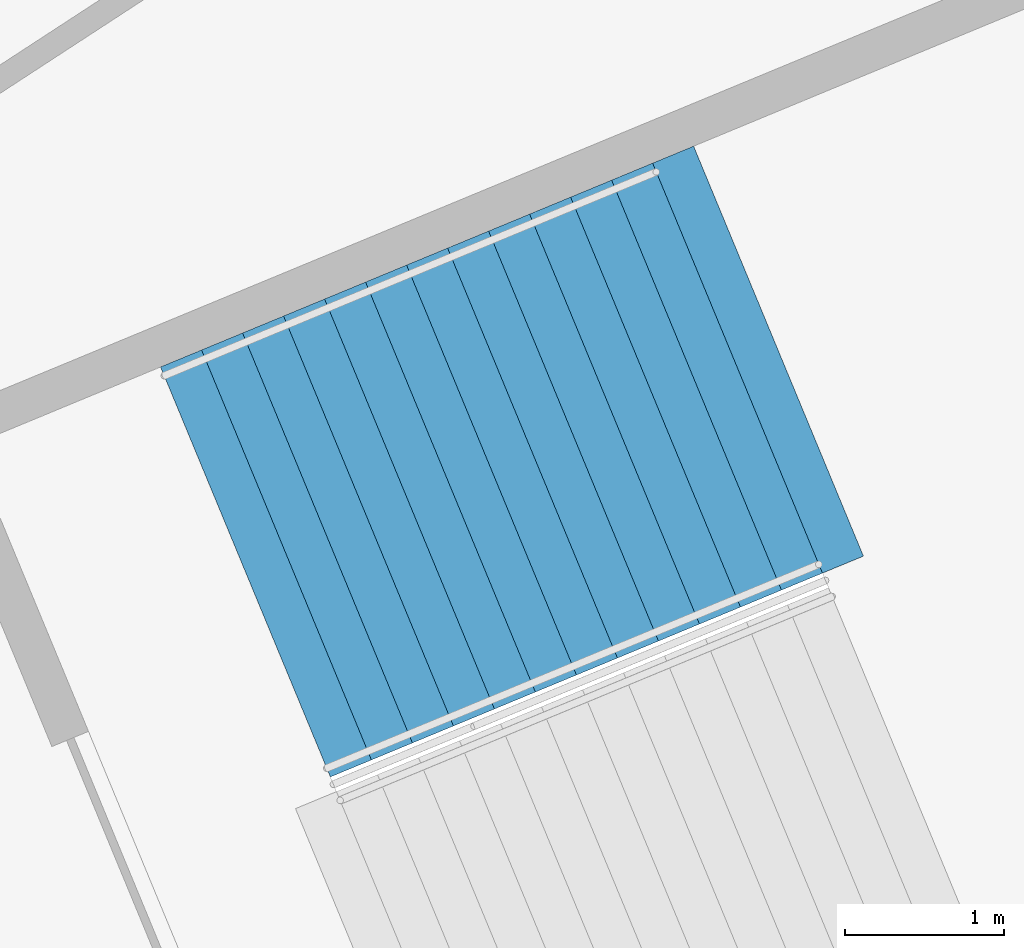
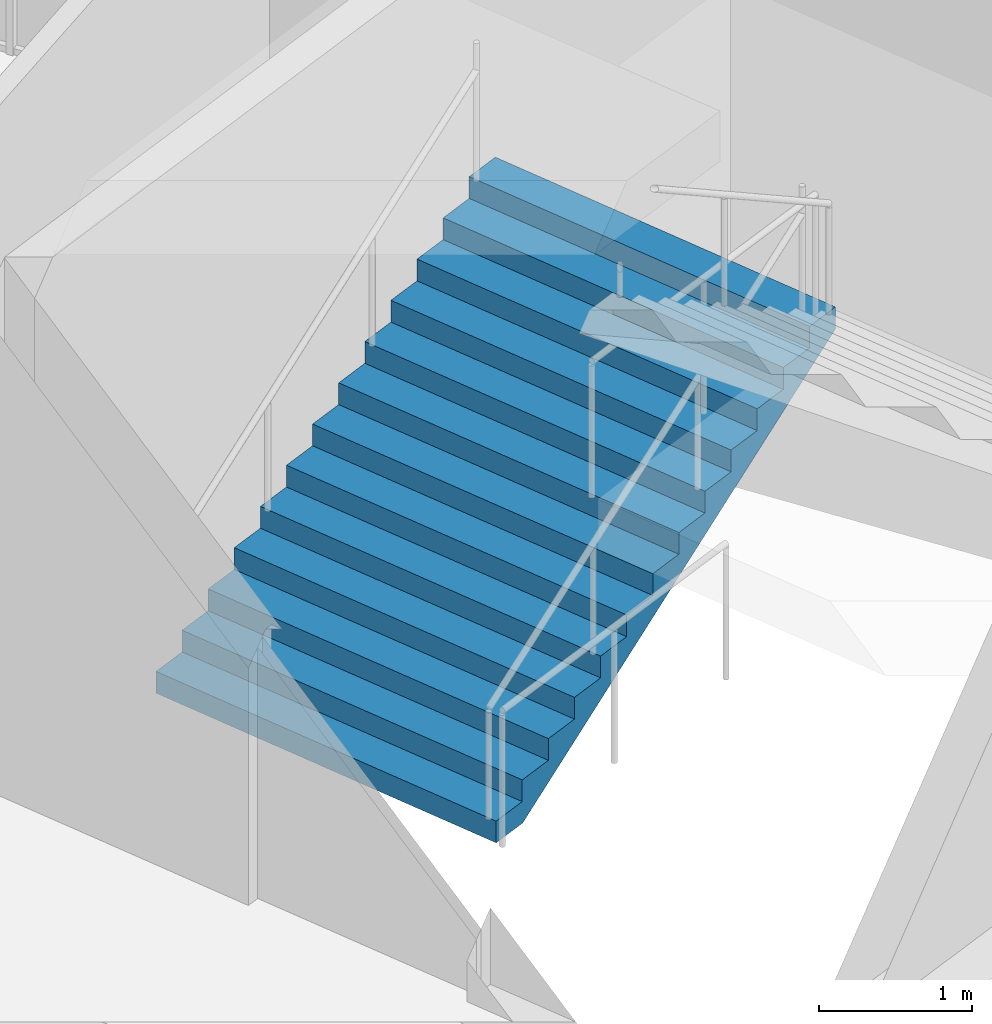
# One storey, part 180 of 199: 1 stair flight, 1 element without a shape of its own.
"""IFC4 building model written with IfcOpenShell, lengths in metres."""

import ifcopenshell
import ifcopenshell.guid

model = None  # the IFC model being written
_history = None  # IfcOwnerHistory: only IFC2X3 demands one
_inside = {}  # id of a spatial element -> (the spatial element, [elements in it])
_under = {}  # id of a project, library or spatial element -> (it, [spatial elements below it])
_declared = {}  # id of a project -> (the project, [libraries it declares])
_typed = {}  # id of a type object -> (the type object, [elements of that type])
_made_of = {}  # id of a material, layer set ... -> (it, [elements and type objects made of it])


def new_model(schema):
    """Start an empty IFC model of exactly this schema.

    Asked for "IFC4X3", IfcOpenShell would pick the latest addendum, in which some entities
    have other attributes; the version numbers below select the first issue.
    IFC2X3 requires an IfcOwnerHistory on every rooted entity: one is made here for all.
    """
    global model, _history
    if schema == "IFC4X3":
        model = ifcopenshell.file(schema_version=(4, 3, 0, 0))
    else:
        model = ifcopenshell.file(schema=schema)
    _inside.clear()
    _under.clear()
    _declared.clear()
    _typed.clear()
    _made_of.clear()
    _history = None
    if model.schema == "IFC2X3":
        org = make("IfcOrganization", Name="unknown")
        user = make(
            "IfcPersonAndOrganization",
            ThePerson=make("IfcPerson", FamilyName="unknown"),
            TheOrganization=org,
        )
        app = make(
            "IfcApplication",
            ApplicationDeveloper=org,
            Version="unknown",
            ApplicationFullName="unknown",
            ApplicationIdentifier="unknown",
        )
        _history = make(
            "IfcOwnerHistory",
            OwningUser=user,
            OwningApplication=app,
            ChangeAction="ADDED",
            CreationDate=0,
        )
    return model


def make(cls, **values):
    """One entity of the class cls with the attributes given. An attribute that is None is left unset."""
    return model.create_entity(
        cls, **{name: value for name, value in values.items() if value is not None}
    )


def rooted(cls, **values):
    """An entity with a GlobalId (a new one), such as an element, a storey or a relation."""
    return make(cls, GlobalId=ifcopenshell.guid.new(), OwnerHistory=_history, **values)


def si_unit(unit_type, name, prefix=None):
    """IfcSIUnit, for example si_unit("LENGTHUNIT", "METRE", prefix="MILLI")."""
    return make("IfcSIUnit", UnitType=unit_type, Prefix=prefix, Name=name)


def assignment(units):
    """IfcUnitAssignment: the units of a project."""
    return None if units is None else make("IfcUnitAssignment", Units=units)


def point(xyz):
    """IfcCartesianPoint."""
    return None if xyz is None else make("IfcCartesianPoint", Coordinates=xyz)


def direction(xyz):
    """IfcDirection."""
    return None if xyz is None else make("IfcDirection", DirectionRatios=xyz)


def frame(location, z_axis=None, x_axis=None):
    """IfcAxis2Placement3D, a coordinate frame: its origin and axes. An axis left out is left unset."""
    return make(
        "IfcAxis2Placement3D",
        Location=point(location),
        Axis=direction(z_axis),
        RefDirection=direction(x_axis),
    )


def origin():
    """The frame at (0, 0, 0) with its axes left unset."""
    return frame((0.0, 0.0, 0.0))


def place(relative_to, where):
    """IfcLocalPlacement: puts the frame where relative to a parent placement (None: the world)."""
    return make(
        "IfcLocalPlacement", PlacementRelTo=relative_to, RelativePlacement=where
    )


def context(
    kind, dimensions, precision=None, world=None, true_north=None, identifier=None
):
    """IfcGeometricRepresentationContext, for example the 3D "Model" context."""
    return make(
        "IfcGeometricRepresentationContext",
        ContextIdentifier=identifier,
        ContextType=kind,
        CoordinateSpaceDimension=dimensions,
        Precision=precision,
        WorldCoordinateSystem=world,
        TrueNorth=true_north,
    )


def subcontext(parent, identifier, kind, view, scale=None):
    """IfcGeometricRepresentationSubContext, for example "Body" below "Model"."""
    return make(
        "IfcGeometricRepresentationSubContext",
        ContextIdentifier=identifier,
        ContextType=kind,
        ParentContext=parent,
        TargetScale=scale,
        TargetView=view,
    )


def project(units=None, contexts=None):
    """IfcProject with its units and contexts."""
    return rooted(
        "IfcProject",
        Name="project",
        RepresentationContexts=contexts,
        UnitsInContext=assignment(units),
    )


def spatial(cls, under=None, at=None, **own):
    """A site, building, storey or space (cls), placed at a placement, below another one or the project."""
    s = rooted(cls, ObjectPlacement=at, **own)
    if under is not None:
        _under.setdefault(under.id(), (under, []))[1].append(s)
    return s


def faces_of(points, faces, orient=None, outer=None):
    """IfcFace entities. A face is a list of loops; a loop is a list of indices into points, from 0.

    orient and outer hold one flag for each loop. By default every Orientation is true, the
    first loop of a face is its IfcFaceOuterBound and the others are IfcFaceBound.
    """
    made = []
    for i, loops in enumerate(faces):
        bounds = []
        for j, loop in enumerate(loops):
            is_outer = j == 0 if outer is None else outer[i][j]
            bounds.append(
                make(
                    "IfcFaceOuterBound" if is_outer else "IfcFaceBound",
                    Bound=make("IfcPolyLoop", Polygon=[points[k] for k in loop]),
                    Orientation=True if orient is None else orient[i][j],
                )
            )
        made.append(make("IfcFace", Bounds=bounds))
    return made


def faceted_brep(points, faces, orient=None, outer=None, voids=None):
    """IfcFacetedBrep: a solid bounded by flat faces; with voids (closed shells), ...WithVoids."""
    shared = [point(p) for p in points]
    hull = make("IfcClosedShell", CfsFaces=faces_of(shared, faces, orient, outer))
    if voids is None:
        return make("IfcFacetedBrep", Outer=hull)
    return make(
        "IfcFacetedBrepWithVoids",
        Outer=hull,
        Voids=[
            make(cls, CfsFaces=faces_of(shared, fs, o, b)) for cls, fs, o, b in voids
        ],
    )


def shape(context_of_items, identifier, shape_type, items):
    """IfcShapeRepresentation: the items that make up one representation, for example the "Body"."""
    return make(
        "IfcShapeRepresentation",
        ContextOfItems=context_of_items,
        RepresentationIdentifier=identifier,
        RepresentationType=shape_type,
        Items=items,
    )


def material(Name=None, Category=None):
    """IfcMaterial."""
    return make("IfcMaterial", Name=Name, Category=Category)


def made_of(thing, what):
    """Note that an element or type object is made of a material, layer set ...; save() writes the relation."""
    if what is not None:
        _made_of.setdefault(what.id(), (what, []))[1].append(thing)
    return thing


def type_object(cls, material=None, **own):
    """A type object (cls), such as IfcWallType, which elements share."""
    return made_of(rooted(cls, **own), material)


def element(
    cls,
    number,
    at=None,
    inside=None,
    cuts=None,
    type_object=None,
    material=None,
    context=None,
    identifier="Body",
    shape_type=None,
    held_by="IfcProductDefinitionShape",
    body=None,
    shapes=None,
    **own,
):
    """One element of the class cls, such as IfcWall. Its Tag is "e" and its number.

    at: its placement. inside: the storey or other place that contains it. cuts: it is an
    opening in that element (IfcRelVoidsElement). A single representation is given by context,
    identifier, shape_type and body (its items); several are given by shapes. held_by: the class
    of the entity that holds the representations. save() writes the other relations.
    """
    e = rooted(cls, Tag="e%d" % number, ObjectPlacement=at, **own)
    if body is not None:
        shapes = [shape(context, identifier, shape_type, body)]
    if shapes is not None:
        e.Representation = make(held_by, Representations=shapes)
    if inside is not None:
        _inside.setdefault(inside.id(), (inside, []))[1].append(e)
    if cuts is not None:
        rooted(
            "IfcRelVoidsElement", RelatingBuildingElement=cuts, RelatedOpeningElement=e
        )
    if type_object is not None:
        _typed.setdefault(type_object.id(), (type_object, []))[1].append(e)
    return made_of(e, material)


def aggregate(whole, parts):
    """IfcRelAggregates: a whole, such as a stair, and the parts it consists of."""
    return rooted("IfcRelAggregates", RelatingObject=whole, RelatedObjects=parts)


def save(model, path):
    """Write the relations noted so far, then the file.

    IfcRelAggregates (storeys below a building ...), IfcRelContainedInSpatialStructure (elements
    in a storey), IfcRelDefinesByType, IfcRelAssociatesMaterial and IfcRelDeclares: one each for
    every whole, place, type object, material and project.
    """
    for whole, parts in _under.values():
        aggregate(whole, parts)
    for where, things in _inside.values():
        rooted(
            "IfcRelContainedInSpatialStructure",
            RelatedElements=things,
            RelatingStructure=where,
        )
    for kind, things in _typed.values():
        rooted("IfcRelDefinesByType", RelatedObjects=things, RelatingType=kind)
    for what, things in _made_of.values():
        rooted("IfcRelAssociatesMaterial", RelatedObjects=things, RelatingMaterial=what)
    for by, libraries in _declared.values():
        rooted("IfcRelDeclares", RelatingContext=by, RelatedDefinitions=libraries)
    model.write(path)


model = new_model("IFC4")

# Units and contexts
model_context = context("Model", 3, precision=1e-05, world=origin(), true_north=direction((0.0, 1.0)))
body_context = subcontext(model_context, "Body", "Model", "MODEL_VIEW")
ifc_project = project(units=[si_unit("LENGTHUNIT", "METRE"), si_unit("AREAUNIT", "SQUARE_METRE"), si_unit("VOLUMEUNIT", "CUBIC_METRE"), si_unit("PLANEANGLEUNIT", "RADIAN"), si_unit("MASSUNIT", "GRAM", prefix="KILO")], contexts=[model_context])

# Site, building, storey
site_placement = place(None, origin())
site = spatial("IfcSite", under=ifc_project, at=site_placement, CompositionType="ELEMENT")
building_placement = place(site_placement, origin())
building = spatial("IfcBuilding", under=site, at=building_placement, Name="Ogive Plaza Stadium", CompositionType="ELEMENT")
storey_placement = place(building_placement, frame((0.0, 0.0, 4.5)))
storey = spatial("IfcBuildingStorey", under=building, at=storey_placement, Name="L01", CompositionType="ELEMENT", Elevation=4.5)

# Stair, stair flight
ifc_material_1 = material(Name="Concrete C40/50", Category="concrete")
stair_type = type_object("IfcStairType", Name="Exit stair", PredefinedType="STRAIGHT_RUN_STAIR", material=ifc_material_1)
stair_placement = place(storey_placement, origin())
stair = element("IfcStair", 1, at=stair_placement, inside=storey, type_object=stair_type, Name="Exit stair ST40B L01 to L02", PredefinedType="STRAIGHT_RUN_STAIR")
ifc_material_2 = material(Name="Concrete C40/50", Category="concrete")
stair_flight_type = type_object("IfcStairFlightType", Name="Exit stair flight", PredefinedType="STRAIGHT", material=ifc_material_2)
stair_flight_placement = place(storey_placement, frame((71.432861328125, 72.794921875, 0.0), z_axis=(0.0, 0.0, 1.0), x_axis=(0.923879532511, 0.382683432365, 0.0)))
stair_flight = element("IfcStairFlight", 2, at=stair_flight_placement, type_object=stair_flight_type, Name="ST40B flight 1", NumberOfRisers=13, NumberOfTreads=12, PredefinedType="STRAIGHT", RiserHeight=0.173076923, TreadLength=0.28, context=body_context, shape_type="Brep", body=[
    faceted_brep([(0.28515625, -1.39990234375, 0.0), (3.639892578125, -1.39990234375, 2.07373046875), (3.639892578125, -1.39990234375, 2.25), (3.360107421875, -1.39990234375, 2.25), (3.360107421875, -1.39990234375, 2.076904296875), (3.080078125, -1.39990234375, 2.076904296875), (3.080078125, -1.39990234375, 1.90380859375), (2.800048828125, -1.39990234375, 1.90380859375), (2.800048828125, -1.39990234375, 1.730712890625), (2.52001953125, -1.39990234375, 1.730712890625), (2.52001953125, -1.39990234375, 1.5576171875), (2.239990234375, -1.39990234375, 1.5576171875), (2.239990234375, -1.39990234375, 1.384521484375), (1.9599609375, -1.39990234375, 1.384521484375), (1.9599609375, -1.39990234375, 1.21142578125), (1.679931640625, -1.39990234375, 1.21142578125), (1.679931640625, -1.39990234375, 1.03857421875), (1.39990234375, -1.39990234375, 1.03857421875), (1.39990234375, -1.39990234375, 0.865478515625), (1.1201171875, -1.39990234375, 0.865478515625), (1.1201171875, -1.39990234375, 0.6923828125), (0.840087890625, -1.39990234375, 0.6923828125), (0.840087890625, -1.39990234375, 0.519287109375), (0.56005859375, -1.39990234375, 0.519287109375), (0.56005859375, -1.39990234375, 0.34619140625), (0.280029296875, -1.39990234375, 0.34619140625), (0.280029296875, -1.39990234375, 0.173095703125), (0.0, -1.39990234375, 0.173095703125), (0.0, -1.39990234375, 0.0), (0.0, 1.39990234375, 0.0), (0.0, 1.39990234375, 0.173095703125), (0.280029296875, 1.39990234375, 0.173095703125), (0.280029296875, 1.39990234375, 0.34619140625), (0.56005859375, 1.39990234375, 0.34619140625), (0.56005859375, 1.39990234375, 0.519287109375), (0.840087890625, 1.39990234375, 0.519287109375), (0.840087890625, 1.39990234375, 0.6923828125), (1.1201171875, 1.39990234375, 0.6923828125), (1.1201171875, 1.39990234375, 0.865478515625), (1.39990234375, 1.39990234375, 0.865478515625), (1.39990234375, 1.39990234375, 1.03857421875), (1.679931640625, 1.39990234375, 1.03857421875), (1.679931640625, 1.39990234375, 1.21142578125), (1.9599609375, 1.39990234375, 1.21142578125), (1.9599609375, 1.39990234375, 1.384521484375), (2.239990234375, 1.39990234375, 1.384521484375), (2.239990234375, 1.39990234375, 1.5576171875), (2.52001953125, 1.39990234375, 1.5576171875), (2.52001953125, 1.39990234375, 1.730712890625), (2.800048828125, 1.39990234375, 1.730712890625), (2.800048828125, 1.39990234375, 1.90380859375), (3.080078125, 1.39990234375, 1.90380859375), (3.080078125, 1.39990234375, 2.076904296875), (3.360107421875, 1.39990234375, 2.076904296875), (3.360107421875, 1.39990234375, 2.25), (3.639892578125, 1.39990234375, 2.25), (3.639892578125, 1.39990234375, 2.07373046875), (0.28515625, 1.39990234375, 0.0), (0.28515625, -1.0888671875, 0.0), (3.639892578125, -1.0888671875, 2.07373046875), (0.28515625, -0.77783203125, 0.0), (3.639892578125, -0.77783203125, 2.07373046875), (0.28515625, -0.466796875, 0.0), (3.639892578125, -0.466796875, 2.07373046875), (0.28515625, -0.155517578125, 0.0), (3.639892578125, -0.155517578125, 2.07373046875), (0.28515625, 0.155517578125, 0.0), (3.639892578125, 0.155517578125, 2.07373046875), (0.28515625, 0.466796875, 0.0), (3.639892578125, 0.466796875, 2.07373046875), (0.28515625, 0.77783203125, 0.0), (3.639892578125, 0.77783203125, 2.07373046875), (0.28515625, 1.0888671875, 0.0), (3.639892578125, 1.0888671875, 2.07373046875), (3.639892578125, -1.0888671875, 2.25), (3.639892578125, -0.77783203125, 2.25), (3.639892578125, -0.466796875, 2.25), (3.639892578125, -0.155517578125, 2.25), (3.639892578125, 0.155517578125, 2.25), (3.639892578125, 0.466796875, 2.25), (3.639892578125, 0.77783203125, 2.25), (3.639892578125, 1.0888671875, 2.25), (3.360107421875, -1.0888671875, 2.25), (3.360107421875, -0.77783203125, 2.25), (3.360107421875, -0.466796875, 2.25), (3.360107421875, -0.155517578125, 2.25), (3.360107421875, 0.155517578125, 2.25), (3.360107421875, 0.466796875, 2.25), (3.360107421875, 0.77783203125, 2.25), (3.360107421875, 1.0888671875, 2.25), (3.360107421875, -1.0888671875, 2.076904296875), (3.360107421875, -0.77783203125, 2.076904296875), (3.360107421875, -0.466796875, 2.076904296875), (3.360107421875, -0.155517578125, 2.076904296875), (3.360107421875, 0.155517578125, 2.076904296875), (3.360107421875, 0.466796875, 2.076904296875), (3.360107421875, 0.77783203125, 2.076904296875), (3.360107421875, 1.0888671875, 2.076904296875), (3.080078125, -1.0888671875, 2.076904296875), (3.080078125, -0.77783203125, 2.076904296875), (3.080078125, -0.466796875, 2.076904296875), (3.080078125, -0.155517578125, 2.076904296875), (3.080078125, 0.155517578125, 2.076904296875), (3.080078125, 0.466796875, 2.076904296875), (3.080078125, 0.77783203125, 2.076904296875), (3.080078125, 1.0888671875, 2.076904296875), (3.080078125, -1.0888671875, 1.90380859375), (3.080078125, -0.77783203125, 1.90380859375), (3.080078125, -0.466796875, 1.90380859375), (3.080078125, -0.155517578125, 1.90380859375), (3.080078125, 0.155517578125, 1.90380859375), (3.080078125, 0.466796875, 1.90380859375), (3.080078125, 0.77783203125, 1.90380859375), (3.080078125, 1.0888671875, 1.90380859375), (2.800048828125, -1.0888671875, 1.90380859375), (2.800048828125, -0.77783203125, 1.90380859375), (2.800048828125, -0.466796875, 1.90380859375), (2.800048828125, -0.155517578125, 1.90380859375), (2.800048828125, 0.155517578125, 1.90380859375), (2.800048828125, 0.466796875, 1.90380859375), (2.800048828125, 0.77783203125, 1.90380859375), (2.800048828125, 1.0888671875, 1.90380859375), (2.800048828125, -1.0888671875, 1.730712890625), (2.800048828125, -0.77783203125, 1.730712890625), (2.800048828125, -0.466796875, 1.730712890625), (2.800048828125, -0.155517578125, 1.730712890625), (2.800048828125, 0.155517578125, 1.730712890625), (2.800048828125, 0.466796875, 1.730712890625), (2.800048828125, 0.77783203125, 1.730712890625), (2.800048828125, 1.0888671875, 1.730712890625), (2.52001953125, -1.0888671875, 1.730712890625), (2.52001953125, -0.77783203125, 1.730712890625), (2.52001953125, -0.466796875, 1.730712890625), (2.52001953125, -0.155517578125, 1.730712890625), (2.52001953125, 0.155517578125, 1.730712890625), (2.52001953125, 0.466796875, 1.730712890625), (2.52001953125, 0.77783203125, 1.730712890625), (2.52001953125, 1.0888671875, 1.730712890625), (2.52001953125, -1.0888671875, 1.5576171875), (2.52001953125, -0.77783203125, 1.5576171875), (2.52001953125, -0.466796875, 1.5576171875), (2.52001953125, -0.155517578125, 1.5576171875), (2.52001953125, 0.155517578125, 1.5576171875), (2.52001953125, 0.466796875, 1.5576171875), (2.52001953125, 0.77783203125, 1.5576171875), (2.52001953125, 1.0888671875, 1.5576171875), (2.239990234375, -1.0888671875, 1.5576171875), (2.239990234375, -0.77783203125, 1.5576171875), (2.239990234375, -0.466796875, 1.5576171875), (2.239990234375, -0.155517578125, 1.5576171875), (2.239990234375, 0.155517578125, 1.5576171875), (2.239990234375, 0.466796875, 1.5576171875), (2.239990234375, 0.77783203125, 1.5576171875), (2.239990234375, 1.0888671875, 1.5576171875), (2.239990234375, -1.0888671875, 1.384521484375), (2.239990234375, -0.77783203125, 1.384521484375), (2.239990234375, -0.466796875, 1.384521484375), (2.239990234375, -0.155517578125, 1.384521484375), (2.239990234375, 0.155517578125, 1.384521484375), (2.239990234375, 0.466796875, 1.384521484375), (2.239990234375, 0.77783203125, 1.384521484375), (2.239990234375, 1.0888671875, 1.384521484375), (1.9599609375, -1.0888671875, 1.384521484375), (1.9599609375, -0.77783203125, 1.384521484375), (1.9599609375, -0.466796875, 1.384521484375), (1.9599609375, -0.155517578125, 1.384521484375), (1.9599609375, 0.155517578125, 1.384521484375), (1.9599609375, 0.466796875, 1.384521484375), (1.9599609375, 0.77783203125, 1.384521484375), (1.9599609375, 1.0888671875, 1.384521484375), (1.9599609375, -1.0888671875, 1.21142578125), (1.9599609375, -0.77783203125, 1.21142578125), (1.9599609375, -0.466796875, 1.21142578125), (1.9599609375, -0.155517578125, 1.21142578125), (1.9599609375, 0.155517578125, 1.21142578125), (1.9599609375, 0.466796875, 1.21142578125), (1.9599609375, 0.77783203125, 1.21142578125), (1.9599609375, 1.0888671875, 1.21142578125), (1.679931640625, -1.0888671875, 1.21142578125), (1.679931640625, -0.77783203125, 1.21142578125), (1.679931640625, -0.466796875, 1.21142578125), (1.679931640625, -0.155517578125, 1.21142578125), (1.679931640625, 0.155517578125, 1.21142578125), (1.679931640625, 0.466796875, 1.21142578125), (1.679931640625, 0.77783203125, 1.21142578125), (1.679931640625, 1.0888671875, 1.21142578125), (1.679931640625, -1.0888671875, 1.03857421875), (1.679931640625, -0.77783203125, 1.03857421875), (1.679931640625, -0.466796875, 1.03857421875), (1.679931640625, -0.155517578125, 1.03857421875), (1.679931640625, 0.155517578125, 1.03857421875), (1.679931640625, 0.466796875, 1.03857421875), (1.679931640625, 0.77783203125, 1.03857421875), (1.679931640625, 1.0888671875, 1.03857421875), (1.39990234375, -1.0888671875, 1.03857421875), (1.39990234375, -0.77783203125, 1.03857421875), (1.39990234375, -0.466796875, 1.03857421875), (1.39990234375, -0.155517578125, 1.03857421875), (1.39990234375, 0.155517578125, 1.03857421875), (1.39990234375, 0.466796875, 1.03857421875), (1.39990234375, 0.77783203125, 1.03857421875), (1.39990234375, 1.0888671875, 1.03857421875), (1.39990234375, -1.0888671875, 0.865478515625), (1.39990234375, -0.77783203125, 0.865478515625), (1.39990234375, -0.466796875, 0.865478515625), (1.39990234375, -0.155517578125, 0.865478515625), (1.39990234375, 0.155517578125, 0.865478515625), (1.39990234375, 0.466796875, 0.865478515625), (1.39990234375, 0.77783203125, 0.865478515625), (1.39990234375, 1.0888671875, 0.865478515625), (1.1201171875, -1.0888671875, 0.865478515625), (1.1201171875, -0.77783203125, 0.865478515625), (1.1201171875, -0.466796875, 0.865478515625), (1.1201171875, -0.155517578125, 0.865478515625), (1.1201171875, 0.155517578125, 0.865478515625), (1.1201171875, 0.466796875, 0.865478515625), (1.1201171875, 0.77783203125, 0.865478515625), (1.1201171875, 1.0888671875, 0.865478515625), (1.1201171875, -1.0888671875, 0.6923828125), (1.1201171875, -0.77783203125, 0.6923828125), (1.1201171875, -0.466796875, 0.6923828125), (1.1201171875, -0.155517578125, 0.6923828125), (1.1201171875, 0.155517578125, 0.6923828125), (1.1201171875, 0.466796875, 0.6923828125), (1.1201171875, 0.77783203125, 0.6923828125), (1.1201171875, 1.0888671875, 0.6923828125), (0.840087890625, -1.0888671875, 0.6923828125), (0.840087890625, -0.77783203125, 0.6923828125), (0.840087890625, -0.466796875, 0.6923828125), (0.840087890625, -0.155517578125, 0.6923828125), (0.840087890625, 0.155517578125, 0.6923828125), (0.840087890625, 0.466796875, 0.6923828125), (0.840087890625, 0.77783203125, 0.6923828125), (0.840087890625, 1.0888671875, 0.6923828125), (0.840087890625, -1.0888671875, 0.519287109375), (0.840087890625, -0.77783203125, 0.519287109375), (0.840087890625, -0.466796875, 0.519287109375), (0.840087890625, -0.155517578125, 0.519287109375), (0.840087890625, 0.155517578125, 0.519287109375), (0.840087890625, 0.466796875, 0.519287109375), (0.840087890625, 0.77783203125, 0.519287109375), (0.840087890625, 1.0888671875, 0.519287109375), (0.56005859375, -1.0888671875, 0.519287109375), (0.56005859375, -0.77783203125, 0.519287109375), (0.56005859375, -0.466796875, 0.519287109375), (0.56005859375, -0.155517578125, 0.519287109375), (0.56005859375, 0.155517578125, 0.519287109375), (0.56005859375, 0.466796875, 0.519287109375), (0.56005859375, 0.77783203125, 0.519287109375), (0.56005859375, 1.0888671875, 0.519287109375), (0.56005859375, -1.0888671875, 0.34619140625), (0.56005859375, -0.77783203125, 0.34619140625), (0.56005859375, -0.466796875, 0.34619140625), (0.56005859375, -0.155517578125, 0.34619140625), (0.56005859375, 0.155517578125, 0.34619140625), (0.56005859375, 0.466796875, 0.34619140625), (0.56005859375, 0.77783203125, 0.34619140625), (0.56005859375, 1.0888671875, 0.34619140625), (0.280029296875, -1.0888671875, 0.34619140625), (0.280029296875, -0.77783203125, 0.34619140625), (0.280029296875, -0.466796875, 0.34619140625), (0.280029296875, -0.155517578125, 0.34619140625), (0.280029296875, 0.155517578125, 0.34619140625), (0.280029296875, 0.466796875, 0.34619140625), (0.280029296875, 0.77783203125, 0.34619140625), (0.280029296875, 1.0888671875, 0.34619140625), (0.280029296875, -1.0888671875, 0.173095703125), (0.280029296875, -0.77783203125, 0.173095703125), (0.280029296875, -0.466796875, 0.173095703125), (0.280029296875, -0.155517578125, 0.173095703125), (0.280029296875, 0.155517578125, 0.173095703125), (0.280029296875, 0.466796875, 0.173095703125), (0.280029296875, 0.77783203125, 0.173095703125), (0.280029296875, 1.0888671875, 0.173095703125), (0.0, -1.0888671875, 0.173095703125), (0.0, -0.77783203125, 0.173095703125), (0.0, -0.466796875, 0.173095703125), (0.0, -0.155517578125, 0.173095703125), (0.0, 0.155517578125, 0.173095703125), (0.0, 0.466796875, 0.173095703125), (0.0, 0.77783203125, 0.173095703125), (0.0, 1.0888671875, 0.173095703125), (0.0, -1.0888671875, 0.0), (0.0, -0.77783203125, 0.0), (0.0, -0.466796875, 0.0), (0.0, -0.155517578125, 0.0), (0.0, 0.155517578125, 0.0), (0.0, 0.466796875, 0.0), (0.0, 0.77783203125, 0.0), (0.0, 1.0888671875, 0.0)], [[[0, 1, 2, 3, 4, 5, 6, 7, 8, 9, 10, 11, 12, 13, 14, 15, 16, 17, 18, 19, 20, 21, 22, 23, 24, 25, 26, 27, 28]], [[29, 30, 31, 32, 33, 34, 35, 36, 37, 38, 39, 40, 41, 42, 43, 44, 45, 46, 47, 48, 49, 50, 51, 52, 53, 54, 55, 56, 57]], [[0, 58, 59, 1]], [[58, 60, 61, 59]], [[60, 62, 63, 61]], [[62, 64, 65, 63]], [[64, 66, 67, 65]], [[66, 68, 69, 67]], [[68, 70, 71, 69]], [[70, 72, 73, 71]], [[72, 57, 56, 73]], [[1, 59, 74, 2]], [[59, 61, 75, 74]], [[61, 63, 76, 75]], [[63, 65, 77, 76]], [[65, 67, 78, 77]], [[67, 69, 79, 78]], [[69, 71, 80, 79]], [[71, 73, 81, 80]], [[73, 56, 55, 81]], [[2, 74, 82, 3]], [[74, 75, 83, 82]], [[75, 76, 84, 83]], [[76, 77, 85, 84]], [[77, 78, 86, 85]], [[78, 79, 87, 86]], [[79, 80, 88, 87]], [[80, 81, 89, 88]], [[81, 55, 54, 89]], [[3, 82, 90, 4]], [[82, 83, 91, 90]], [[83, 84, 92, 91]], [[84, 85, 93, 92]], [[85, 86, 94, 93]], [[86, 87, 95, 94]], [[87, 88, 96, 95]], [[88, 89, 97, 96]], [[89, 54, 53, 97]], [[4, 90, 98, 5]], [[90, 91, 99, 98]], [[91, 92, 100, 99]], [[92, 93, 101, 100]], [[93, 94, 102, 101]], [[94, 95, 103, 102]], [[95, 96, 104, 103]], [[96, 97, 105, 104]], [[97, 53, 52, 105]], [[5, 98, 106, 6]], [[98, 99, 107, 106]], [[99, 100, 108, 107]], [[100, 101, 109, 108]], [[101, 102, 110, 109]], [[102, 103, 111, 110]], [[103, 104, 112, 111]], [[104, 105, 113, 112]], [[105, 52, 51, 113]], [[6, 106, 114, 7]], [[106, 107, 115, 114]], [[107, 108, 116, 115]], [[108, 109, 117, 116]], [[109, 110, 118, 117]], [[110, 111, 119, 118]], [[111, 112, 120, 119]], [[112, 113, 121, 120]], [[113, 51, 50, 121]], [[7, 114, 122, 8]], [[114, 115, 123, 122]], [[115, 116, 124, 123]], [[116, 117, 125, 124]], [[117, 118, 126, 125]], [[118, 119, 127, 126]], [[119, 120, 128, 127]], [[120, 121, 129, 128]], [[121, 50, 49, 129]], [[8, 122, 130, 9]], [[122, 123, 131, 130]], [[123, 124, 132, 131]], [[124, 125, 133, 132]], [[125, 126, 134, 133]], [[126, 127, 135, 134]], [[127, 128, 136, 135]], [[128, 129, 137, 136]], [[129, 49, 48, 137]], [[9, 130, 138, 10]], [[130, 131, 139, 138]], [[131, 132, 140, 139]], [[132, 133, 141, 140]], [[133, 134, 142, 141]], [[134, 135, 143, 142]], [[135, 136, 144, 143]], [[136, 137, 145, 144]], [[137, 48, 47, 145]], [[10, 138, 146, 11]], [[138, 139, 147, 146]], [[139, 140, 148, 147]], [[140, 141, 149, 148]], [[141, 142, 150, 149]], [[142, 143, 151, 150]], [[143, 144, 152, 151]], [[144, 145, 153, 152]], [[145, 47, 46, 153]], [[11, 146, 154, 12]], [[146, 147, 155, 154]], [[147, 148, 156, 155]], [[148, 149, 157, 156]], [[149, 150, 158, 157]], [[150, 151, 159, 158]], [[151, 152, 160, 159]], [[152, 153, 161, 160]], [[153, 46, 45, 161]], [[12, 154, 162, 13]], [[154, 155, 163, 162]], [[155, 156, 164, 163]], [[156, 157, 165, 164]], [[157, 158, 166, 165]], [[158, 159, 167, 166]], [[159, 160, 168, 167]], [[160, 161, 169, 168]], [[161, 45, 44, 169]], [[13, 162, 170, 14]], [[162, 163, 171, 170]], [[163, 164, 172, 171]], [[164, 165, 173, 172]], [[165, 166, 174, 173]], [[166, 167, 175, 174]], [[167, 168, 176, 175]], [[168, 169, 177, 176]], [[169, 44, 43, 177]], [[14, 170, 178, 15]], [[170, 171, 179, 178]], [[171, 172, 180, 179]], [[172, 173, 181, 180]], [[173, 174, 182, 181]], [[174, 175, 183, 182]], [[175, 176, 184, 183]], [[176, 177, 185, 184]], [[177, 43, 42, 185]], [[15, 178, 186, 16]], [[178, 179, 187, 186]], [[179, 180, 188, 187]], [[180, 181, 189, 188]], [[181, 182, 190, 189]], [[182, 183, 191, 190]], [[183, 184, 192, 191]], [[184, 185, 193, 192]], [[185, 42, 41, 193]], [[16, 186, 194, 17]], [[186, 187, 195, 194]], [[187, 188, 196, 195]], [[188, 189, 197, 196]], [[189, 190, 198, 197]], [[190, 191, 199, 198]], [[191, 192, 200, 199]], [[192, 193, 201, 200]], [[193, 41, 40, 201]], [[17, 194, 202, 18]], [[194, 195, 203, 202]], [[195, 196, 204, 203]], [[196, 197, 205, 204]], [[197, 198, 206, 205]], [[198, 199, 207, 206]], [[199, 200, 208, 207]], [[200, 201, 209, 208]], [[201, 40, 39, 209]], [[18, 202, 210, 19]], [[202, 203, 211, 210]], [[203, 204, 212, 211]], [[204, 205, 213, 212]], [[205, 206, 214, 213]], [[206, 207, 215, 214]], [[207, 208, 216, 215]], [[208, 209, 217, 216]], [[209, 39, 38, 217]], [[19, 210, 218, 20]], [[210, 211, 219, 218]], [[211, 212, 220, 219]], [[212, 213, 221, 220]], [[213, 214, 222, 221]], [[214, 215, 223, 222]], [[215, 216, 224, 223]], [[216, 217, 225, 224]], [[217, 38, 37, 225]], [[20, 218, 226, 21]], [[218, 219, 227, 226]], [[219, 220, 228, 227]], [[220, 221, 229, 228]], [[221, 222, 230, 229]], [[222, 223, 231, 230]], [[223, 224, 232, 231]], [[224, 225, 233, 232]], [[225, 37, 36, 233]], [[21, 226, 234, 22]], [[226, 227, 235, 234]], [[227, 228, 236, 235]], [[228, 229, 237, 236]], [[229, 230, 238, 237]], [[230, 231, 239, 238]], [[231, 232, 240, 239]], [[232, 233, 241, 240]], [[233, 36, 35, 241]], [[22, 234, 242, 23]], [[234, 235, 243, 242]], [[235, 236, 244, 243]], [[236, 237, 245, 244]], [[237, 238, 246, 245]], [[238, 239, 247, 246]], [[239, 240, 248, 247]], [[240, 241, 249, 248]], [[241, 35, 34, 249]], [[23, 242, 250, 24]], [[242, 243, 251, 250]], [[243, 244, 252, 251]], [[244, 245, 253, 252]], [[245, 246, 254, 253]], [[246, 247, 255, 254]], [[247, 248, 256, 255]], [[248, 249, 257, 256]], [[249, 34, 33, 257]], [[24, 250, 258, 25]], [[250, 251, 259, 258]], [[251, 252, 260, 259]], [[252, 253, 261, 260]], [[253, 254, 262, 261]], [[254, 255, 263, 262]], [[255, 256, 264, 263]], [[256, 257, 265, 264]], [[257, 33, 32, 265]], [[25, 258, 266, 26]], [[258, 259, 267, 266]], [[259, 260, 268, 267]], [[260, 261, 269, 268]], [[261, 262, 270, 269]], [[262, 263, 271, 270]], [[263, 264, 272, 271]], [[264, 265, 273, 272]], [[265, 32, 31, 273]], [[26, 266, 274, 27]], [[266, 267, 275, 274]], [[267, 268, 276, 275]], [[268, 269, 277, 276]], [[269, 270, 278, 277]], [[270, 271, 279, 278]], [[271, 272, 280, 279]], [[272, 273, 281, 280]], [[273, 31, 30, 281]], [[27, 274, 282, 28]], [[274, 275, 283, 282]], [[275, 276, 284, 283]], [[276, 277, 285, 284]], [[277, 278, 286, 285]], [[278, 279, 287, 286]], [[279, 280, 288, 287]], [[280, 281, 289, 288]], [[281, 30, 29, 289]], [[28, 282, 58, 0]], [[282, 283, 60, 58]], [[283, 284, 62, 60]], [[284, 285, 64, 62]], [[285, 286, 66, 64]], [[286, 287, 68, 66]], [[287, 288, 70, 68]], [[288, 289, 72, 70]], [[289, 29, 57, 72]]]),
])
aggregate(stair, [stair_flight])

save(model, "model.ifc")
